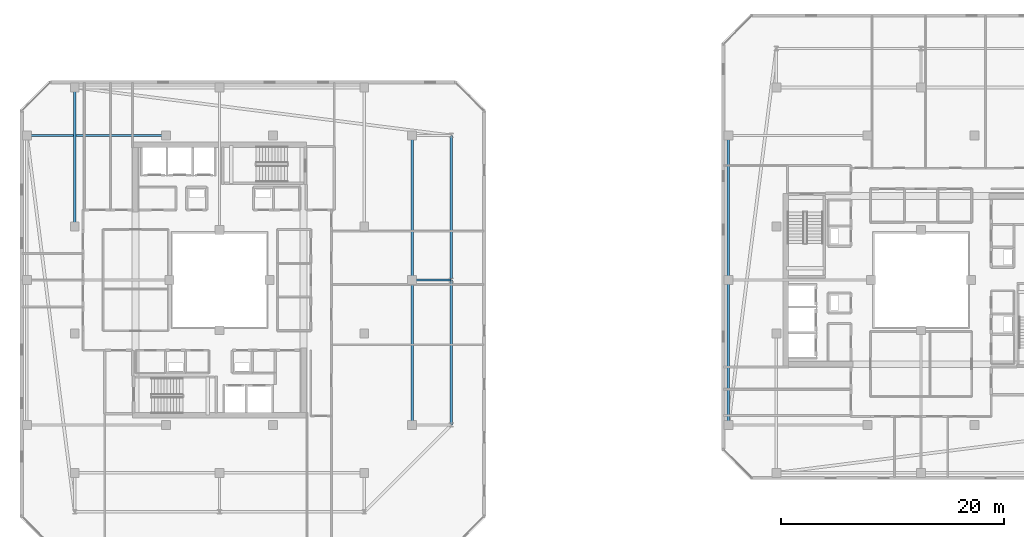
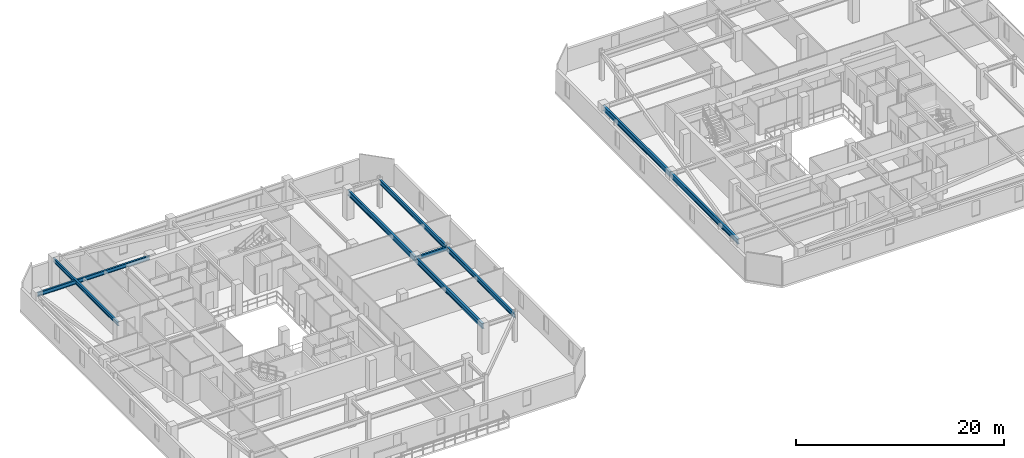
# One storey, part 9 of 35: 9 beams.
"""IFC4 building model written with IfcOpenShell, lengths in metres."""

from ifc_helpers import new_model, si_unit, direction, frame, origin, origin_2d, place, context, subcontext, project, spatial, i_section, extrude, material, material_profile, profile_set, type_object, element, save


model = new_model("IFC4")

# Units and contexts
model_context = context("Model", 3, precision=1e-05, world=origin(), true_north=direction((0.0, 1.0)))
body_context = subcontext(model_context, "Body", "Model", "MODEL_VIEW")
ifc_project = project(units=[si_unit("LENGTHUNIT", "METRE"), si_unit("AREAUNIT", "SQUARE_METRE"), si_unit("VOLUMEUNIT", "CUBIC_METRE"), si_unit("PLANEANGLEUNIT", "RADIAN"), si_unit("MASSUNIT", "GRAM", prefix="KILO")], contexts=[model_context])

# Site, building, storey
site_placement = place(None, origin())
site = spatial("IfcSite", under=ifc_project, at=site_placement, CompositionType="ELEMENT")
building_placement = place(site_placement, origin())
building = spatial("IfcBuilding", under=site, at=building_placement, Name="Thornwick Lancets Civic Towers", CompositionType="ELEMENT")
storey_placement = place(building_placement, frame((0.0, 0.0, 276.300048828125)))
storey = spatial("IfcBuildingStorey", under=building, at=storey_placement, Name="L74", CompositionType="ELEMENT", Elevation=276.300048828125)

# Beams
ifc_material = material(Name="Steel S355JR", Category="steel")
ifc_material_profile_1 = material_profile(ifc_material, i_section(OverallWidth=0.210693359375, OverallDepth=0.53955078125, WebThickness=0.01171875, FlangeThickness=0.018798828125, FilletRadius=0.0126953125, at=origin_2d()), Name="UKB 533x210x109")
ifc_profile_set_1 = profile_set([ifc_material_profile_1], Name="Steel S355JR")
beam_type_1 = type_object("IfcBeamType", Name="BM_EDGE_533_109", PredefinedType="SPANDREL", material=ifc_profile_set_1)
beam_1_placement = place(storey_placement, frame((46.300048828125, 14.0, 3.01025390625), z_axis=(0.0, 1.0, 0.0), x_axis=(-1.0, 0.0, 0.0)))
element("IfcBeam", 1, at=beam_1_placement, inside=storey, type_object=beam_type_1, Name="BM-EDGE-L74-A-S1-1", PredefinedType="SPANDREL", context=body_context, shape_type="SweptSolid", body=[
    extrude(i_section(OverallWidth=0.210693359375, OverallDepth=0.53955078125, WebThickness=0.01171875, FlangeThickness=0.018798828125, FilletRadius=0.0126953125, at=origin_2d()), origin(), (0.0, 0.0, 1.0), 13.0),
])
beam_2_placement = place(storey_placement, frame((46.300048828125, 27.080078125, 3.01025390625), z_axis=(0.0, 1.0, 0.0), x_axis=(-1.0, 0.0, 0.0)))
element("IfcBeam", 2, at=beam_2_placement, inside=storey, type_object=beam_type_1, Name="BM-EDGE-L74-A-S1-2", PredefinedType="SPANDREL", context=body_context, shape_type="SweptSolid", body=[
    extrude(i_section(OverallWidth=0.210693359375, OverallDepth=0.53955078125, WebThickness=0.01171875, FlangeThickness=0.018798828125, FilletRadius=0.0126953125, at=origin_2d()), origin(), (0.0, 0.0, 1.0), 12.919921875),
])
ifc_material_profile_2 = material_profile(ifc_material, i_section(OverallWidth=0.230224609375, OverallDepth=0.6171875, WebThickness=0.01318359375, FlangeThickness=0.022216796875, FilletRadius=0.0126953125, at=origin_2d()), Name="UKB 610x229x140")
ifc_profile_set_2 = profile_set([ifc_material_profile_2], Name="Steel S355JR")
beam_type_2 = type_object("IfcBeamType", Name="BM_GIRD_610_140", PredefinedType="BEAM", material=ifc_profile_set_2)
beam_3_placement = place(storey_placement, frame((42.800048828125, 14.0, 2.971435546875), z_axis=(0.0, 1.0, 0.0), x_axis=(-1.0, 0.0, 0.0)))
element("IfcBeam", 3, at=beam_3_placement, inside=storey, type_object=beam_type_2, Name="BM-SPINE-L74-A-3-4", PredefinedType="BEAM", context=body_context, shape_type="SweptSolid", body=[
    extrude(i_section(OverallWidth=0.230224609375, OverallDepth=0.6171875, WebThickness=0.01318359375, FlangeThickness=0.022216796875, FilletRadius=0.0126953125, at=origin_2d()), origin(), (0.0, 0.0, 1.0), 13.0),
])
beam_4_placement = place(storey_placement, frame((42.800048828125, 27.080078125, 2.971435546875), z_axis=(0.0, 1.0, 0.0), x_axis=(-1.0, 0.0, 0.0)))
element("IfcBeam", 4, at=beam_4_placement, inside=storey, type_object=beam_type_2, Name="BM-SPINE-L74-A-4-5", PredefinedType="BEAM", context=body_context, shape_type="SweptSolid", body=[
    extrude(i_section(OverallWidth=0.230224609375, OverallDepth=0.6171875, WebThickness=0.01318359375, FlangeThickness=0.022216796875, FilletRadius=0.0126953125, at=origin_2d()), origin(), (0.0, 0.0, 1.0), 12.919921875),
])
beam_5_placement = place(storey_placement, frame((71.199951171875, 14.0, 2.971435546875), z_axis=(0.0, 1.0, 0.0), x_axis=(-1.0, 0.0, 0.0)))
element("IfcBeam", 5, at=beam_5_placement, inside=storey, type_object=beam_type_2, Name="BM-SPINE-L74-B-6-7", PredefinedType="BEAM", context=body_context, shape_type="SweptSolid", body=[
    extrude(i_section(OverallWidth=0.230224609375, OverallDepth=0.6171875, WebThickness=0.01318359375, FlangeThickness=0.022216796875, FilletRadius=0.0126953125, at=origin_2d()), origin(), (0.0, 0.0, 1.0), 13.0),
])
beam_6_placement = place(storey_placement, frame((71.199951171875, 27.080078125, 2.971435546875), z_axis=(0.0, 1.0, 0.0), x_axis=(-1.0, 0.0, 0.0)))
element("IfcBeam", 6, at=beam_6_placement, inside=storey, type_object=beam_type_2, Name="BM-SPINE-L74-B-7-8", PredefinedType="BEAM", context=body_context, shape_type="SweptSolid", body=[
    extrude(i_section(OverallWidth=0.230224609375, OverallDepth=0.6171875, WebThickness=0.01318359375, FlangeThickness=0.022216796875, FilletRadius=0.0126953125, at=origin_2d()), origin(), (0.0, 0.0, 1.0), 12.919921875),
])
ifc_material_profile_3 = material_profile(ifc_material, i_section(OverallWidth=0.19189453125, OverallDepth=0.46337890625, WebThickness=0.010498046875, FlangeThickness=0.017578125, FilletRadius=0.01025390625, at=origin_2d()), Name="UKB 457x191x89")
ifc_profile_set_3 = profile_set([ifc_material_profile_3], Name="Steel S355JR")
beam_type_3 = type_object("IfcBeamType", Name="BM_JOIST_457_89", PredefinedType="JOIST", material=ifc_profile_set_3)
beam_7_placement = place(storey_placement, frame((42.800048828125, 27.0, 3.04833984375), z_axis=(1.0, 0.0, 0.0), x_axis=(0.0, 1.0, 0.0)))
element("IfcBeam", 7, at=beam_7_placement, inside=storey, type_object=beam_type_3, Name="BM-RAD-L74-A05", PredefinedType="JOIST", context=body_context, shape_type="SweptSolid", body=[
    extrude(i_section(OverallWidth=0.19189453125, OverallDepth=0.46337890625, WebThickness=0.010498046875, FlangeThickness=0.017578125, FilletRadius=0.01025390625, at=origin_2d()), origin(), (0.0, 0.0, 1.0), 3.5),
])
for number, where, z_axis, x_axis, name in (
    (8, (12.5, 31.800048828125, 3.04833984375), (0.0, 1.0, 0.0), (-1.0, 0.0, 0.0), "BM-RADIN-L74-A07"),
    (9, (20.699951171875, 40.0, 3.04833984375), (-1.0, 0.0, 0.0), (0.0, -1.0, 0.0), "BM-RADIN-L74-A12"),
):
    element("IfcBeam", number, at=place(storey_placement, frame(where, z_axis=z_axis, x_axis=x_axis)), inside=storey, type_object=beam_type_3, Name=name, PredefinedType="JOIST", context=body_context, shape_type="SweptSolid", body=[
        extrude(i_section(OverallWidth=0.19189453125, OverallDepth=0.46337890625, WebThickness=0.010498046875, FlangeThickness=0.017578125, FilletRadius=0.01025390625, at=origin_2d()), origin(), (0.0, 0.0, 1.0), 12.5),
    ])

save(model, "model.ifc")
